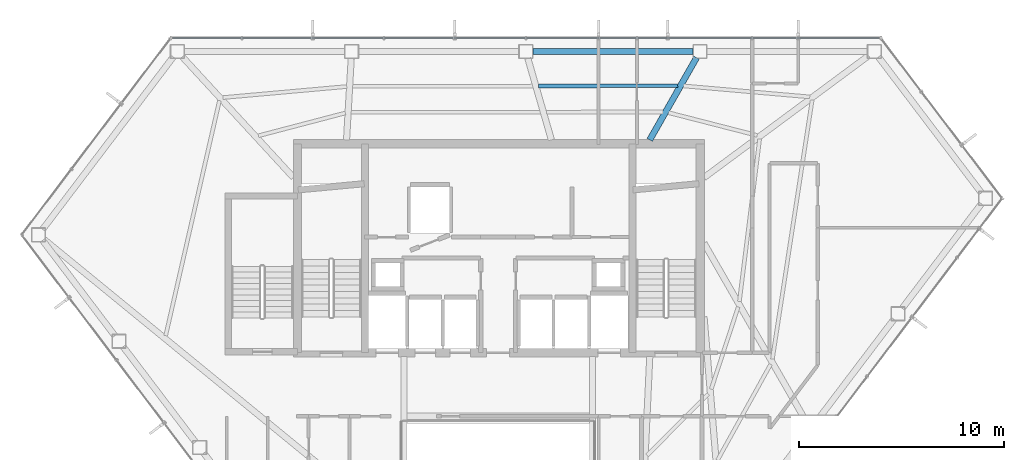
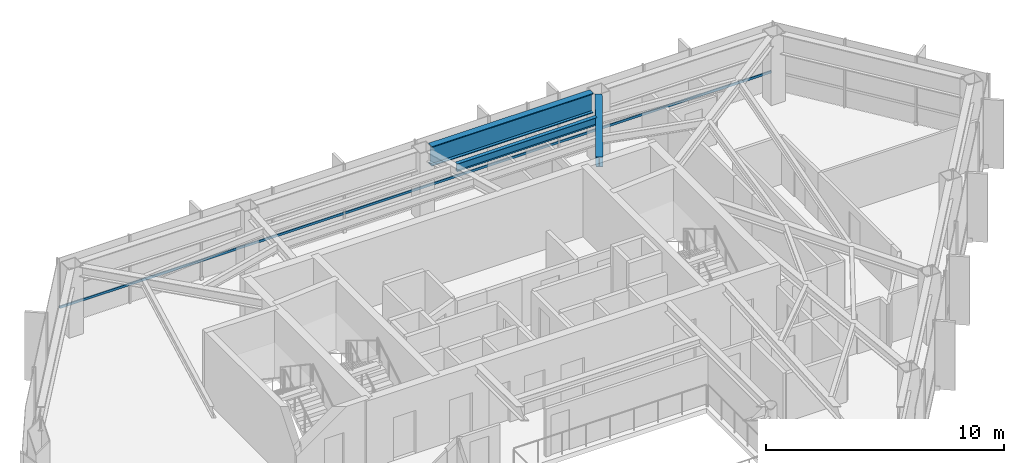
# One storey, part 14 of 28: 3 beams, 1 member, 1 element without a shape of its own.
"""IFC4 building model written with IfcOpenShell, lengths in metres."""

import ifcopenshell
import ifcopenshell.guid

model = None  # the IFC model being written
_history = None  # IfcOwnerHistory: only IFC2X3 demands one
_inside = {}  # id of a spatial element -> (the spatial element, [elements in it])
_under = {}  # id of a project, library or spatial element -> (it, [spatial elements below it])
_declared = {}  # id of a project -> (the project, [libraries it declares])
_typed = {}  # id of a type object -> (the type object, [elements of that type])
_made_of = {}  # id of a material, layer set ... -> (it, [elements and type objects made of it])


def new_model(schema):
    """Start an empty IFC model of exactly this schema.

    Asked for "IFC4X3", IfcOpenShell would pick the latest addendum, in which some entities
    have other attributes; the version numbers below select the first issue.
    IFC2X3 requires an IfcOwnerHistory on every rooted entity: one is made here for all.
    """
    global model, _history
    if schema == "IFC4X3":
        model = ifcopenshell.file(schema_version=(4, 3, 0, 0))
    else:
        model = ifcopenshell.file(schema=schema)
    _inside.clear()
    _under.clear()
    _declared.clear()
    _typed.clear()
    _made_of.clear()
    _history = None
    if model.schema == "IFC2X3":
        org = make("IfcOrganization", Name="unknown")
        user = make(
            "IfcPersonAndOrganization",
            ThePerson=make("IfcPerson", FamilyName="unknown"),
            TheOrganization=org,
        )
        app = make(
            "IfcApplication",
            ApplicationDeveloper=org,
            Version="unknown",
            ApplicationFullName="unknown",
            ApplicationIdentifier="unknown",
        )
        _history = make(
            "IfcOwnerHistory",
            OwningUser=user,
            OwningApplication=app,
            ChangeAction="ADDED",
            CreationDate=0,
        )
    return model


def make(cls, **values):
    """One entity of the class cls with the attributes given. An attribute that is None is left unset."""
    return model.create_entity(
        cls, **{name: value for name, value in values.items() if value is not None}
    )


def rooted(cls, **values):
    """An entity with a GlobalId (a new one), such as an element, a storey or a relation."""
    return make(cls, GlobalId=ifcopenshell.guid.new(), OwnerHistory=_history, **values)


def si_unit(unit_type, name, prefix=None):
    """IfcSIUnit, for example si_unit("LENGTHUNIT", "METRE", prefix="MILLI")."""
    return make("IfcSIUnit", UnitType=unit_type, Prefix=prefix, Name=name)


def assignment(units):
    """IfcUnitAssignment: the units of a project."""
    return None if units is None else make("IfcUnitAssignment", Units=units)


def point(xyz):
    """IfcCartesianPoint."""
    return None if xyz is None else make("IfcCartesianPoint", Coordinates=xyz)


def direction(xyz):
    """IfcDirection."""
    return None if xyz is None else make("IfcDirection", DirectionRatios=xyz)


def frame(location, z_axis=None, x_axis=None):
    """IfcAxis2Placement3D, a coordinate frame: its origin and axes. An axis left out is left unset."""
    return make(
        "IfcAxis2Placement3D",
        Location=point(location),
        Axis=direction(z_axis),
        RefDirection=direction(x_axis),
    )


def frame_2d(location, x_axis=None):
    """IfcAxis2Placement2D, a coordinate frame in the plane: its origin and x axis."""
    return make(
        "IfcAxis2Placement2D", Location=point(location), RefDirection=direction(x_axis)
    )


def origin():
    """The frame at (0, 0, 0) with its axes left unset."""
    return frame((0.0, 0.0, 0.0))


def origin_2d():
    """The frame at (0, 0) in the plane with its x axis left unset."""
    return frame_2d((0.0, 0.0))


def place(relative_to, where):
    """IfcLocalPlacement: puts the frame where relative to a parent placement (None: the world)."""
    return make(
        "IfcLocalPlacement", PlacementRelTo=relative_to, RelativePlacement=where
    )


def context(
    kind, dimensions, precision=None, world=None, true_north=None, identifier=None
):
    """IfcGeometricRepresentationContext, for example the 3D "Model" context."""
    return make(
        "IfcGeometricRepresentationContext",
        ContextIdentifier=identifier,
        ContextType=kind,
        CoordinateSpaceDimension=dimensions,
        Precision=precision,
        WorldCoordinateSystem=world,
        TrueNorth=true_north,
    )


def subcontext(parent, identifier, kind, view, scale=None):
    """IfcGeometricRepresentationSubContext, for example "Body" below "Model"."""
    return make(
        "IfcGeometricRepresentationSubContext",
        ContextIdentifier=identifier,
        ContextType=kind,
        ParentContext=parent,
        TargetScale=scale,
        TargetView=view,
    )


def project(units=None, contexts=None):
    """IfcProject with its units and contexts."""
    return rooted(
        "IfcProject",
        Name="project",
        RepresentationContexts=contexts,
        UnitsInContext=assignment(units),
    )


def spatial(cls, under=None, at=None, **own):
    """A site, building, storey or space (cls), placed at a placement, below another one or the project."""
    s = rooted(cls, ObjectPlacement=at, **own)
    if under is not None:
        _under.setdefault(under.id(), (under, []))[1].append(s)
    return s


def profile(cls, at=None, kind="AREA", **sizes):
    """A parametric profile (cls). Its sizes go by their IFC names, for example OverallWidth=200.0."""
    return make(cls, ProfileType=kind, Position=at, **sizes)


def hollow_rectangle(**sizes):
    """IfcRectangleHollowProfileDef."""
    return profile("IfcRectangleHollowProfileDef", **sizes)


def i_section(**sizes):
    """IfcIShapeProfileDef."""
    return profile("IfcIShapeProfileDef", **sizes)


def extrude(swept, where, along, depth):
    """IfcExtrudedAreaSolid: the profile swept, set in the frame where, extruded along a direction by depth."""
    return make(
        "IfcExtrudedAreaSolid",
        SweptArea=swept,
        Position=where,
        ExtrudedDirection=direction(along),
        Depth=depth,
    )


def shape(context_of_items, identifier, shape_type, items):
    """IfcShapeRepresentation: the items that make up one representation, for example the "Body"."""
    return make(
        "IfcShapeRepresentation",
        ContextOfItems=context_of_items,
        RepresentationIdentifier=identifier,
        RepresentationType=shape_type,
        Items=items,
    )


def material(Name=None, Category=None):
    """IfcMaterial."""
    return make("IfcMaterial", Name=Name, Category=Category)


def layer(
    of_material, thickness, ventilated=None, Name=None, Category=None, Priority=None
):
    """IfcMaterialLayer: one layer of a wall or slab, of a material (None: an air gap)."""
    return make(
        "IfcMaterialLayer",
        Material=of_material,
        LayerThickness=thickness,
        IsVentilated=ventilated,
        Name=Name,
        Category=Category,
        Priority=Priority,
    )


def layer_set(layers, Name=None):
    """IfcMaterialLayerSet."""
    return make("IfcMaterialLayerSet", MaterialLayers=layers, LayerSetName=Name)


def material_profile(
    of_material, cross_section, Name=None, Category=None, Priority=None
):
    """IfcMaterialProfile: a cross section and its material."""
    return make(
        "IfcMaterialProfile",
        Name=Name,
        Material=of_material,
        Profile=cross_section,
        Priority=Priority,
        Category=Category,
    )


def profile_set(profiles, Name=None, composite=None):
    """IfcMaterialProfileSet."""
    return make(
        "IfcMaterialProfileSet",
        Name=Name,
        MaterialProfiles=profiles,
        CompositeProfile=composite,
    )


def made_of(thing, what):
    """Note that an element or type object is made of a material, layer set ...; save() writes the relation."""
    if what is not None:
        _made_of.setdefault(what.id(), (what, []))[1].append(thing)
    return thing


def type_object(cls, material=None, **own):
    """A type object (cls), such as IfcWallType, which elements share."""
    return made_of(rooted(cls, **own), material)


def element(
    cls,
    number,
    at=None,
    inside=None,
    cuts=None,
    type_object=None,
    material=None,
    context=None,
    identifier="Body",
    shape_type=None,
    held_by="IfcProductDefinitionShape",
    body=None,
    shapes=None,
    **own,
):
    """One element of the class cls, such as IfcWall. Its Tag is "e" and its number.

    at: its placement. inside: the storey or other place that contains it. cuts: it is an
    opening in that element (IfcRelVoidsElement). A single representation is given by context,
    identifier, shape_type and body (its items); several are given by shapes. held_by: the class
    of the entity that holds the representations. save() writes the other relations.
    """
    e = rooted(cls, Tag="e%d" % number, ObjectPlacement=at, **own)
    if body is not None:
        shapes = [shape(context, identifier, shape_type, body)]
    if shapes is not None:
        e.Representation = make(held_by, Representations=shapes)
    if inside is not None:
        _inside.setdefault(inside.id(), (inside, []))[1].append(e)
    if cuts is not None:
        rooted(
            "IfcRelVoidsElement", RelatingBuildingElement=cuts, RelatedOpeningElement=e
        )
    if type_object is not None:
        _typed.setdefault(type_object.id(), (type_object, []))[1].append(e)
    return made_of(e, material)


def aggregate(whole, parts):
    """IfcRelAggregates: a whole, such as a stair, and the parts it consists of."""
    return rooted("IfcRelAggregates", RelatingObject=whole, RelatedObjects=parts)


def save(model, path):
    """Write the relations noted so far, then the file.

    IfcRelAggregates (storeys below a building ...), IfcRelContainedInSpatialStructure (elements
    in a storey), IfcRelDefinesByType, IfcRelAssociatesMaterial and IfcRelDeclares: one each for
    every whole, place, type object, material and project.
    """
    for whole, parts in _under.values():
        aggregate(whole, parts)
    for where, things in _inside.values():
        rooted(
            "IfcRelContainedInSpatialStructure",
            RelatedElements=things,
            RelatingStructure=where,
        )
    for kind, things in _typed.values():
        rooted("IfcRelDefinesByType", RelatedObjects=things, RelatingType=kind)
    for what, things in _made_of.values():
        rooted("IfcRelAssociatesMaterial", RelatedObjects=things, RelatingMaterial=what)
    for by, libraries in _declared.values():
        rooted("IfcRelDeclares", RelatingContext=by, RelatedDefinitions=libraries)
    model.write(path)


model = new_model("IFC4")

# Units and contexts
model_context = context("Model", 3, precision=1e-05, world=origin(), true_north=direction((0.0, 1.0)))
body_context = subcontext(model_context, "Body", "Model", "MODEL_VIEW")
ifc_project = project(units=[si_unit("LENGTHUNIT", "METRE"), si_unit("AREAUNIT", "SQUARE_METRE"), si_unit("VOLUMEUNIT", "CUBIC_METRE"), si_unit("PLANEANGLEUNIT", "RADIAN"), si_unit("MASSUNIT", "GRAM", prefix="KILO")], contexts=[model_context])

# Site, building, storey
site_placement = place(None, origin())
site = spatial("IfcSite", under=ifc_project, at=site_placement, CompositionType="ELEMENT")
building_placement = place(site_placement, origin())
building = spatial("IfcBuilding", under=site, at=building_placement, Name="Zarrinselat Tower", CompositionType="ELEMENT")
storey_placement = place(building_placement, frame((0.0, 0.0, 187.0)))
storey = spatial("IfcBuildingStorey", under=building, at=storey_placement, Name="L46", CompositionType="ELEMENT", Elevation=187.0)

# Beams
ifc_material_1 = material(Name="Steel S355J2", Category="steel")
ifc_material_profile_1 = material_profile(ifc_material_1, i_section(OverallWidth=0.300048828125, OverallDepth=0.5, WebThickness=0.014404296875, FlangeThickness=0.028076171875, at=origin_2d()), Name="HEB 500")
ifc_profile_set_1 = profile_set([ifc_material_profile_1], Name="Steel S355J2")
beam_type_1 = type_object("IfcBeamType", Name="BM-HEB500", PredefinedType="BEAM", material=ifc_profile_set_1)
beam_1_placement = place(storey_placement, frame((45.800048828125, 43.639892578125, 3.25), z_axis=(0.494616604894, 0.869111278355, 0.0), x_axis=(-0.869111278355, 0.494616604894, 0.0)))
element("IfcBeam", 1, at=beam_1_placement, inside=storey, type_object=beam_type_1, Name="L46 Radial Primary Girder RG02", PredefinedType="BEAM", context=body_context, shape_type="SweptSolid", body=[
    extrude(i_section(OverallWidth=0.300048828125, OverallDepth=0.5, WebThickness=0.014404296875, FlangeThickness=0.028076171875, at=origin_2d()), origin(), (0.0, 0.0, 1.0), 4.613525390625),
])
ifc_material_2 = material(Name="Steel S460M", Category="steel")
ifc_material_profile_2 = material_profile(ifc_material_2, i_section(OverallWidth=0.302001953125, OverallDepth=1.008056640625, WebThickness=0.02099609375, FlangeThickness=0.0400390625, at=origin_2d()), Name="HEM 1000")
ifc_profile_set_2 = profile_set([ifc_material_profile_2], Name="Steel S460M")
beam_type_2 = type_object("IfcBeamType", Name="BM-HEM1000", PredefinedType="BEAM", material=ifc_profile_set_2)
beam_2_placement = place(storey_placement, frame((40.09033203125, 47.95556640625, 2.99609375), z_axis=(1.0, 0.0, 0.0), x_axis=(0.0, 1.0, 0.0)))
element("IfcBeam", 2, at=beam_2_placement, inside=storey, type_object=beam_type_2, Name="L46 Perimeter Spandrel Girder SP02", PredefinedType="BEAM", context=body_context, shape_type="SweptSolid", body=[
    extrude(i_section(OverallWidth=0.302001953125, OverallDepth=1.008056640625, WebThickness=0.02099609375, FlangeThickness=0.0400390625, at=origin_2d()), origin(), (0.0, 0.0, 1.0), 7.827880859375),
])
ifc_material_3 = material(Name="Steel S355J2", Category="steel")
ifc_material_profile_3 = material_profile(ifc_material_3, i_section(OverallWidth=0.179931640625, OverallDepth=0.39990234375, WebThickness=0.008544921875, FlangeThickness=0.013427734375, at=origin_2d()), Name="IPE 400")
ifc_profile_set_3 = profile_set([ifc_material_profile_3], Name="Steel S355J2")
beam_type_3 = type_object("IfcBeamType", Name="BM-IPE400", PredefinedType="JOIST", material=ifc_profile_set_3)
beam_3_placement = place(storey_placement, frame((40.381103515625, 46.265380859375, 3.300048828125), z_axis=(0.999995432422, 0.003022438699, 0.0), x_axis=(-0.003022438699, 0.999995432422, 0.0)))
element("IfcBeam", 3, at=beam_3_placement, inside=storey, type_object=beam_type_3, Name="L46 Composite Floor Joist 7-1", PredefinedType="JOIST", context=body_context, shape_type="SweptSolid", body=[
    extrude(i_section(OverallWidth=0.179931640625, OverallDepth=0.39990234375, WebThickness=0.008544921875, FlangeThickness=0.013427734375, at=origin_2d()), origin(), (0.0, 0.0, 1.0), 6.78515625),
])

# Curtain wall, member
ifc_material_4 = material(Name="Extruded Aluminium Alloy EN AW-6063 T6", Category="aluminium")
ifc_layer = layer(ifc_material_4, 0.175048828125)
ifc_layer_set = layer_set([ifc_layer], Name="Extruded Aluminium Alloy EN AW-6063 T6")
curtain_wall_type = type_object("IfcCurtainWallType", Name="CWS-HTL", PredefinedType="NOTDEFINED", material=ifc_layer_set)
curtain_wall_placement = place(storey_placement, origin())
curtain_wall = element("IfcCurtainWall", 4, at=curtain_wall_placement, inside=storey, type_object=curtain_wall_type, Name="L46 Unitised Curtain Wall CW-L46-E01", PredefinedType="NOTDEFINED")
ifc_material_5 = material(Name="Extruded Aluminium Alloy EN AW-6063 T6", Category="aluminium")
ifc_material_profile_4 = material_profile(ifc_material_5, hollow_rectangle(XDim=0.06005859375, YDim=0.1201171875, WallThickness=0.00390625, at=origin_2d()), Name="RHS 120x60x4")
ifc_profile_set_4 = profile_set([ifc_material_profile_4], Name="Extruded Aluminium Alloy EN AW-6063 T6")
member_type = type_object("IfcMemberType", Name="MEM-CW-TRN2", PredefinedType="USERDEFINED", material=ifc_profile_set_4)
member_placement = place(storey_placement, frame((56.992919921875, 48.605712890625, 0.949951171875), z_axis=(-1.0, 0.0, 0.0), x_axis=(0.0, -1.0, 0.0)))
member = element("IfcMember", 5, at=member_placement, type_object=member_type, Name="CW-L46-E01 Transom 1", ObjectType="TRANSOM", PredefinedType="USERDEFINED", context=body_context, shape_type="SweptSolid", body=[
    extrude(hollow_rectangle(XDim=0.06005859375, YDim=0.1201171875, WallThickness=0.00390625, at=origin_2d()), origin(), (0.0, 0.0, 1.0), 34.481201171875),
])
aggregate(curtain_wall, [member])

save(model, "model.ifc")
